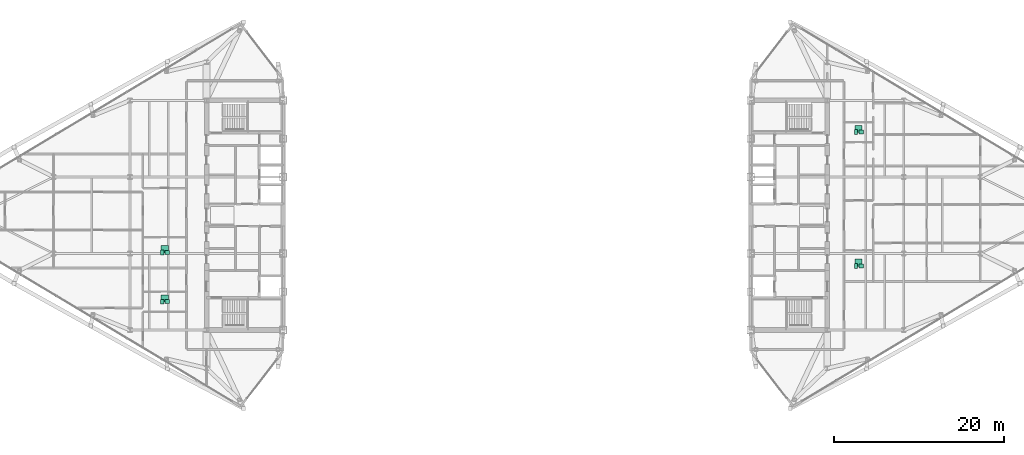
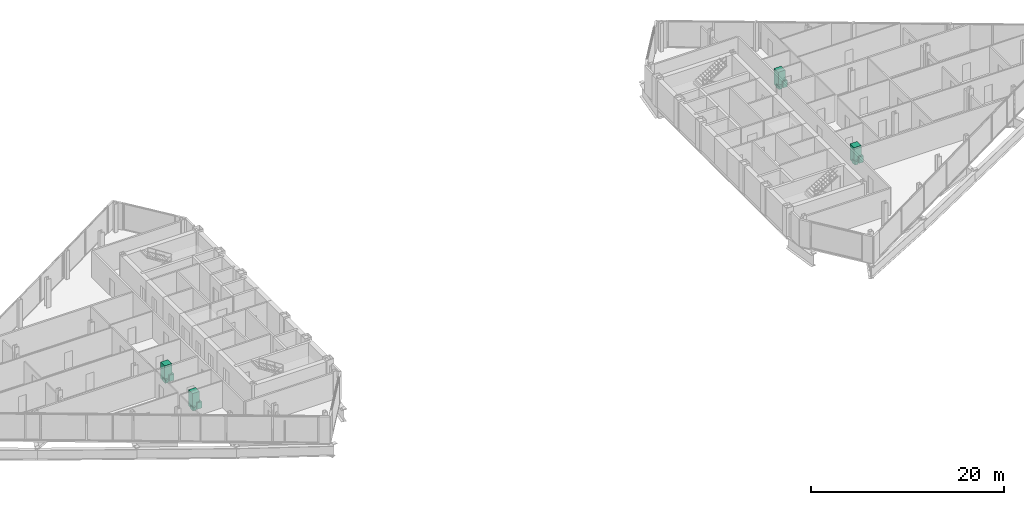
# One storey, part 29 of 29: 12 sanitary terminals.
"""IFC4 building model written with IfcOpenShell, lengths in metres."""

import ifcopenshell
import ifcopenshell.guid

model = None  # the IFC model being written
_history = None  # IfcOwnerHistory: only IFC2X3 demands one
_inside = {}  # id of a spatial element -> (the spatial element, [elements in it])
_under = {}  # id of a project, library or spatial element -> (it, [spatial elements below it])
_declared = {}  # id of a project -> (the project, [libraries it declares])
_typed = {}  # id of a type object -> (the type object, [elements of that type])
_made_of = {}  # id of a material, layer set ... -> (it, [elements and type objects made of it])


def new_model(schema):
    """Start an empty IFC model of exactly this schema.

    Asked for "IFC4X3", IfcOpenShell would pick the latest addendum, in which some entities
    have other attributes; the version numbers below select the first issue.
    IFC2X3 requires an IfcOwnerHistory on every rooted entity: one is made here for all.
    """
    global model, _history
    if schema == "IFC4X3":
        model = ifcopenshell.file(schema_version=(4, 3, 0, 0))
    else:
        model = ifcopenshell.file(schema=schema)
    _inside.clear()
    _under.clear()
    _declared.clear()
    _typed.clear()
    _made_of.clear()
    _history = None
    if model.schema == "IFC2X3":
        org = make("IfcOrganization", Name="unknown")
        user = make(
            "IfcPersonAndOrganization",
            ThePerson=make("IfcPerson", FamilyName="unknown"),
            TheOrganization=org,
        )
        app = make(
            "IfcApplication",
            ApplicationDeveloper=org,
            Version="unknown",
            ApplicationFullName="unknown",
            ApplicationIdentifier="unknown",
        )
        _history = make(
            "IfcOwnerHistory",
            OwningUser=user,
            OwningApplication=app,
            ChangeAction="ADDED",
            CreationDate=0,
        )
    return model


def make(cls, **values):
    """One entity of the class cls with the attributes given. An attribute that is None is left unset."""
    return model.create_entity(
        cls, **{name: value for name, value in values.items() if value is not None}
    )


def rooted(cls, **values):
    """An entity with a GlobalId (a new one), such as an element, a storey or a relation."""
    return make(cls, GlobalId=ifcopenshell.guid.new(), OwnerHistory=_history, **values)


def si_unit(unit_type, name, prefix=None):
    """IfcSIUnit, for example si_unit("LENGTHUNIT", "METRE", prefix="MILLI")."""
    return make("IfcSIUnit", UnitType=unit_type, Prefix=prefix, Name=name)


def assignment(units):
    """IfcUnitAssignment: the units of a project."""
    return None if units is None else make("IfcUnitAssignment", Units=units)


def point(xyz):
    """IfcCartesianPoint."""
    return None if xyz is None else make("IfcCartesianPoint", Coordinates=xyz)


def direction(xyz):
    """IfcDirection."""
    return None if xyz is None else make("IfcDirection", DirectionRatios=xyz)


def frame(location, z_axis=None, x_axis=None):
    """IfcAxis2Placement3D, a coordinate frame: its origin and axes. An axis left out is left unset."""
    return make(
        "IfcAxis2Placement3D",
        Location=point(location),
        Axis=direction(z_axis),
        RefDirection=direction(x_axis),
    )


def frame_2d(location, x_axis=None):
    """IfcAxis2Placement2D, a coordinate frame in the plane: its origin and x axis."""
    return make(
        "IfcAxis2Placement2D", Location=point(location), RefDirection=direction(x_axis)
    )


def origin():
    """The frame at (0, 0, 0) with its axes left unset."""
    return frame((0.0, 0.0, 0.0))


def origin_2d():
    """The frame at (0, 0) in the plane with its x axis left unset."""
    return frame_2d((0.0, 0.0))


def place(relative_to, where):
    """IfcLocalPlacement: puts the frame where relative to a parent placement (None: the world)."""
    return make(
        "IfcLocalPlacement", PlacementRelTo=relative_to, RelativePlacement=where
    )


def context(
    kind, dimensions, precision=None, world=None, true_north=None, identifier=None
):
    """IfcGeometricRepresentationContext, for example the 3D "Model" context."""
    return make(
        "IfcGeometricRepresentationContext",
        ContextIdentifier=identifier,
        ContextType=kind,
        CoordinateSpaceDimension=dimensions,
        Precision=precision,
        WorldCoordinateSystem=world,
        TrueNorth=true_north,
    )


def subcontext(parent, identifier, kind, view, scale=None):
    """IfcGeometricRepresentationSubContext, for example "Body" below "Model"."""
    return make(
        "IfcGeometricRepresentationSubContext",
        ContextIdentifier=identifier,
        ContextType=kind,
        ParentContext=parent,
        TargetScale=scale,
        TargetView=view,
    )


def project(units=None, contexts=None):
    """IfcProject with its units and contexts."""
    return rooted(
        "IfcProject",
        Name="project",
        RepresentationContexts=contexts,
        UnitsInContext=assignment(units),
    )


def spatial(cls, under=None, at=None, **own):
    """A site, building, storey or space (cls), placed at a placement, below another one or the project."""
    s = rooted(cls, ObjectPlacement=at, **own)
    if under is not None:
        _under.setdefault(under.id(), (under, []))[1].append(s)
    return s


def profile(cls, at=None, kind="AREA", **sizes):
    """A parametric profile (cls). Its sizes go by their IFC names, for example OverallWidth=200.0."""
    return make(cls, ProfileType=kind, Position=at, **sizes)


def rectangle(**sizes):
    """IfcRectangleProfileDef."""
    return profile("IfcRectangleProfileDef", **sizes)


def extrude(swept, where, along, depth):
    """IfcExtrudedAreaSolid: the profile swept, set in the frame where, extruded along a direction by depth."""
    return make(
        "IfcExtrudedAreaSolid",
        SweptArea=swept,
        Position=where,
        ExtrudedDirection=direction(along),
        Depth=depth,
    )


def shape(context_of_items, identifier, shape_type, items):
    """IfcShapeRepresentation: the items that make up one representation, for example the "Body"."""
    return make(
        "IfcShapeRepresentation",
        ContextOfItems=context_of_items,
        RepresentationIdentifier=identifier,
        RepresentationType=shape_type,
        Items=items,
    )


def source(mapping_origin, context_of_items, identifier, shape_type, items):
    """IfcRepresentationMap: a shape defined once, which mapped items show again and again."""
    return make(
        "IfcRepresentationMap",
        MappingOrigin=mapping_origin,
        MappedRepresentation=shape(context_of_items, identifier, shape_type, items),
    )


def transform(
    local_origin,
    x_axis=None,
    y_axis=None,
    z_axis=None,
    scale=None,
    scale2=None,
    scale3=None,
    uniform=True,
):
    """IfcCartesianTransformationOperator3D, or its non-uniform kind. x_axis, y_axis, z_axis: its Axis1, 2, 3."""
    if uniform:
        return make(
            "IfcCartesianTransformationOperator3D",
            Axis1=direction(x_axis),
            Axis2=direction(y_axis),
            LocalOrigin=point(local_origin),
            Scale=scale,
            Axis3=direction(z_axis),
        )
    return make(
        "IfcCartesianTransformationOperator3DnonUniform",
        Axis1=direction(x_axis),
        Axis2=direction(y_axis),
        LocalOrigin=point(local_origin),
        Scale=scale,
        Axis3=direction(z_axis),
        Scale2=scale2,
        Scale3=scale3,
    )


def mapped(mapping_source, mapping_target):
    """IfcMappedItem: shows the shape of a source again, moved by a transform."""
    return make(
        "IfcMappedItem", MappingSource=mapping_source, MappingTarget=mapping_target
    )


def material(Name=None, Category=None):
    """IfcMaterial."""
    return make("IfcMaterial", Name=Name, Category=Category)


def made_of(thing, what):
    """Note that an element or type object is made of a material, layer set ...; save() writes the relation."""
    if what is not None:
        _made_of.setdefault(what.id(), (what, []))[1].append(thing)
    return thing


def type_object(cls, material=None, **own):
    """A type object (cls), such as IfcWallType, which elements share."""
    return made_of(rooted(cls, **own), material)


def type_shapes(of_type, sources):
    """Give a type object the sources (RepresentationMaps) that its elements show as mapped items."""
    of_type.RepresentationMaps = sources


def element(
    cls,
    number,
    at=None,
    inside=None,
    cuts=None,
    type_object=None,
    material=None,
    context=None,
    identifier="Body",
    shape_type=None,
    held_by="IfcProductDefinitionShape",
    body=None,
    shapes=None,
    **own,
):
    """One element of the class cls, such as IfcWall. Its Tag is "e" and its number.

    at: its placement. inside: the storey or other place that contains it. cuts: it is an
    opening in that element (IfcRelVoidsElement). A single representation is given by context,
    identifier, shape_type and body (its items); several are given by shapes. held_by: the class
    of the entity that holds the representations. save() writes the other relations.
    """
    e = rooted(cls, Tag="e%d" % number, ObjectPlacement=at, **own)
    if body is not None:
        shapes = [shape(context, identifier, shape_type, body)]
    if shapes is not None:
        e.Representation = make(held_by, Representations=shapes)
    if inside is not None:
        _inside.setdefault(inside.id(), (inside, []))[1].append(e)
    if cuts is not None:
        rooted(
            "IfcRelVoidsElement", RelatingBuildingElement=cuts, RelatedOpeningElement=e
        )
    if type_object is not None:
        _typed.setdefault(type_object.id(), (type_object, []))[1].append(e)
    return made_of(e, material)


def aggregate(whole, parts):
    """IfcRelAggregates: a whole, such as a stair, and the parts it consists of."""
    return rooted("IfcRelAggregates", RelatingObject=whole, RelatedObjects=parts)


def save(model, path):
    """Write the relations noted so far, then the file.

    IfcRelAggregates (storeys below a building ...), IfcRelContainedInSpatialStructure (elements
    in a storey), IfcRelDefinesByType, IfcRelAssociatesMaterial and IfcRelDeclares: one each for
    every whole, place, type object, material and project.
    """
    for whole, parts in _under.values():
        aggregate(whole, parts)
    for where, things in _inside.values():
        rooted(
            "IfcRelContainedInSpatialStructure",
            RelatedElements=things,
            RelatingStructure=where,
        )
    for kind, things in _typed.values():
        rooted("IfcRelDefinesByType", RelatedObjects=things, RelatingType=kind)
    for what, things in _made_of.values():
        rooted("IfcRelAssociatesMaterial", RelatedObjects=things, RelatingMaterial=what)
    for by, libraries in _declared.values():
        rooted("IfcRelDeclares", RelatingContext=by, RelatedDefinitions=libraries)
    model.write(path)


model = new_model("IFC4")

# Units and contexts
model_context = context("Model", 3, precision=1e-05, world=origin(), true_north=direction((0.0, 1.0)))
body_context = subcontext(model_context, "Body", "Model", "MODEL_VIEW")
ifc_project = project(units=[si_unit("LENGTHUNIT", "METRE"), si_unit("AREAUNIT", "SQUARE_METRE"), si_unit("VOLUMEUNIT", "CUBIC_METRE"), si_unit("PLANEANGLEUNIT", "RADIAN"), si_unit("MASSUNIT", "GRAM", prefix="KILO")], contexts=[model_context])

# Site, building, storey
site_placement = place(None, origin())
site = spatial("IfcSite", under=ifc_project, at=site_placement, CompositionType="ELEMENT")
building_placement = place(site_placement, origin())
building = spatial("IfcBuilding", under=site, at=building_placement, Name="Seokmaru Belvedere", CompositionType="ELEMENT")
storey_placement = place(building_placement, frame((0.0, 0.0, 195.89990234375)))
storey = spatial("IfcBuildingStorey", under=building, at=storey_placement, Name="L52", CompositionType="ELEMENT", Elevation=195.89990234375)

# Sanitary terminals
ifc_material_1 = material(Name="Vitreous China Sanitaryware")
sanitary_terminal_type_1 = type_object("IfcSanitaryTerminalType", Name="Wall-Hung Vitreous China WC Pan", PredefinedType="TOILETPAN", material=ifc_material_1)
shared_shape_1 = source(origin(), body_context, "Body", "SweptSolid", [
    extrude(rectangle(XDim=0.3798828125, YDim=0.56005859375, at=origin_2d()), origin(), (0.0, 0.0, 1.0), 0.419921875),
])
type_shapes(sanitary_terminal_type_1, [shared_shape_1])
for number, where, z_axis, x_axis, name in (
    (1, (-41.72509765625, -10.169921875, 0.000244140625), (0.0, 0.0, 1.0), (1.0, 0.0, 0.0), "L52 Vitreous China WC 0251"),
    (2, (-41.72509765625, -4.39208984375, 0.000244140625), (0.0, 0.0, 1.0), (1.0, 0.0, 0.0), "L52 Vitreous China WC 0252"),
    (3, (39.875, -5.965087890625, 0.000244140625), (0.0, 0.0, 1.0), (1.0, 0.0, 0.0), "L52 Vitreous China WC 0253"),
    (4, (39.875, 9.77001953125, 0.000244140625), (0.0, 0.0, 1.0), (1.0, 0.0, 0.0), "L52 Vitreous China WC 0254"),
):
    element("IfcSanitaryTerminal", number, at=place(storey_placement, frame(where, z_axis=z_axis, x_axis=x_axis)), inside=storey, type_object=sanitary_terminal_type_1, Name=name, PredefinedType="TOILETPAN", context=body_context, shape_type="MappedRepresentation", body=[
        mapped(shared_shape_1, transform((0.0, 0.0, 0.0), scale=1.0)),
    ])
sanitary_terminal_type_2 = type_object("IfcSanitaryTerminalType", Name="Countertop Ceramic Washhand Basin", PredefinedType="WASHHANDBASIN", material=ifc_material_1)
shared_shape_2 = source(origin(), body_context, "Body", "SweptSolid", [
    extrude(rectangle(XDim=0.550048828125, YDim=0.449951171875, at=origin_2d()), origin(), (0.0, 0.0, 1.0), 0.820068359375),
])
type_shapes(sanitary_terminal_type_2, [shared_shape_2])
for number, where, z_axis, x_axis, name in (
    (5, (-41.125, -10.169921875, 0.0), (0.0, 0.0, 1.0), (1.0, 0.0, 0.0), "L52 Ceramic Washhand Basin 0251"),
    (6, (-41.125, -4.39208984375, 0.0), (0.0, 0.0, 1.0), (1.0, 0.0, 0.0), "L52 Ceramic Washhand Basin 0252"),
    (7, (40.47509765625, -5.965087890625, 0.0), (0.0, 0.0, 1.0), (1.0, 0.0, 0.0), "L52 Ceramic Washhand Basin 0253"),
    (8, (40.47509765625, 9.77001953125, 0.0), (0.0, 0.0, 1.0), (1.0, 0.0, 0.0), "L52 Ceramic Washhand Basin 0254"),
):
    element("IfcSanitaryTerminal", number, at=place(storey_placement, frame(where, z_axis=z_axis, x_axis=x_axis)), inside=storey, type_object=sanitary_terminal_type_2, Name=name, PredefinedType="WASHHANDBASIN", context=body_context, shape_type="MappedRepresentation", body=[
        mapped(shared_shape_2, transform((0.0, 0.0, 0.0), scale=1.0)),
    ])
ifc_material_2 = material(Name="Stainless Steel 316", Category="steel")
sanitary_terminal_type_3 = type_object("IfcSanitaryTerminalType", Name="Walk-In Thermostatic Rain Shower Enclosure", PredefinedType="SHOWER", material=ifc_material_2)
shared_shape_3 = source(origin(), body_context, "Body", "SweptSolid", [
    extrude(rectangle(XDim=0.85009765625, YDim=0.85009765625, at=origin_2d()), origin(), (0.0, 0.0, 1.0), 2.050048828125),
])
type_shapes(sanitary_terminal_type_3, [shared_shape_3])
for number, where, z_axis, x_axis, name in (
    (9, (-41.425048828125, -9.7900390625, 0.0), (0.0, 0.0, 1.0), (1.0, 0.0, 0.0), "L52 Walk-In Shower 0251"),
    (10, (-41.425048828125, -4.011962890625, 0.0), (0.0, 0.0, 1.0), (1.0, 0.0, 0.0), "L52 Walk-In Shower 0252"),
    (11, (40.175048828125, -5.5849609375, 0.0), (0.0, 0.0, 1.0), (1.0, 0.0, 0.0), "L52 Walk-In Shower 0253"),
    (12, (40.175048828125, 10.14990234375, 0.0), (0.0, 0.0, 1.0), (1.0, 0.0, 0.0), "L52 Walk-In Shower 0254"),
):
    element("IfcSanitaryTerminal", number, at=place(storey_placement, frame(where, z_axis=z_axis, x_axis=x_axis)), inside=storey, type_object=sanitary_terminal_type_3, Name=name, PredefinedType="SHOWER", context=body_context, shape_type="MappedRepresentation", body=[
        mapped(shared_shape_3, transform((0.0, 0.0, 0.0), scale=1.0)),
    ])

save(model, "model.ifc")
